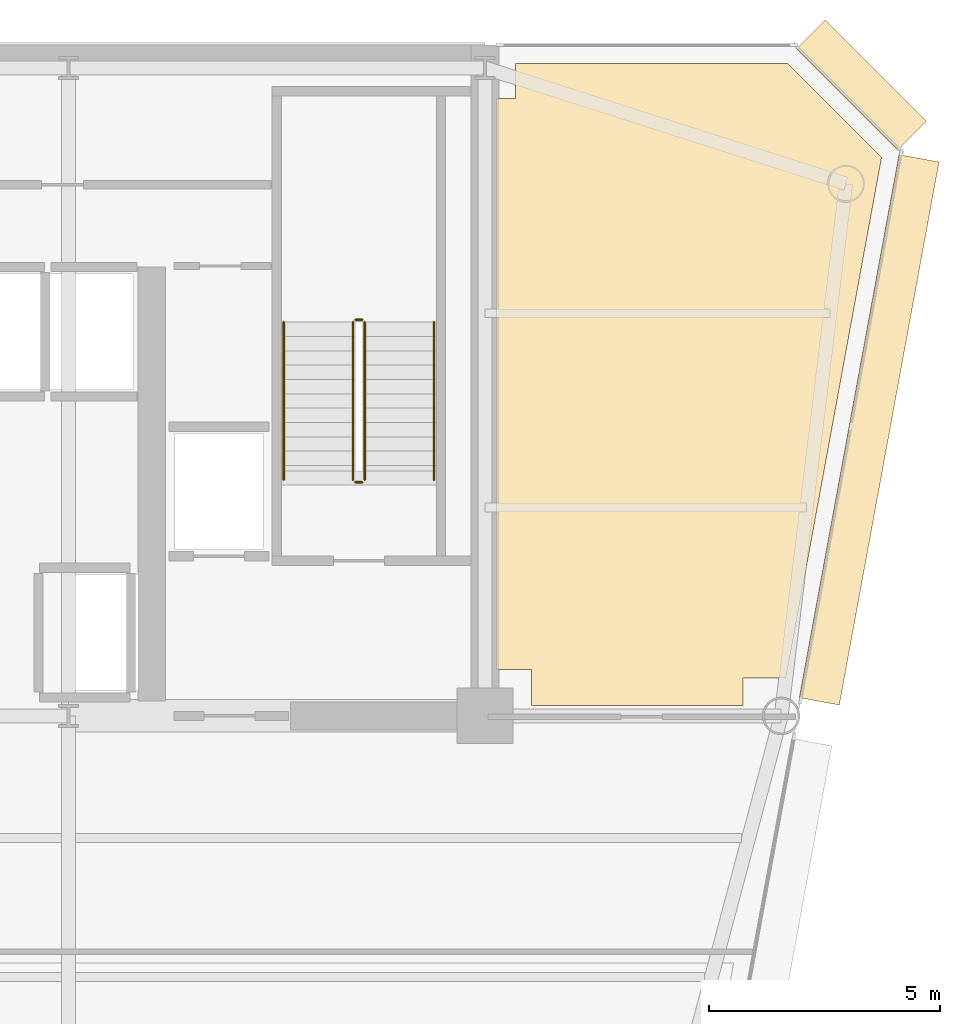
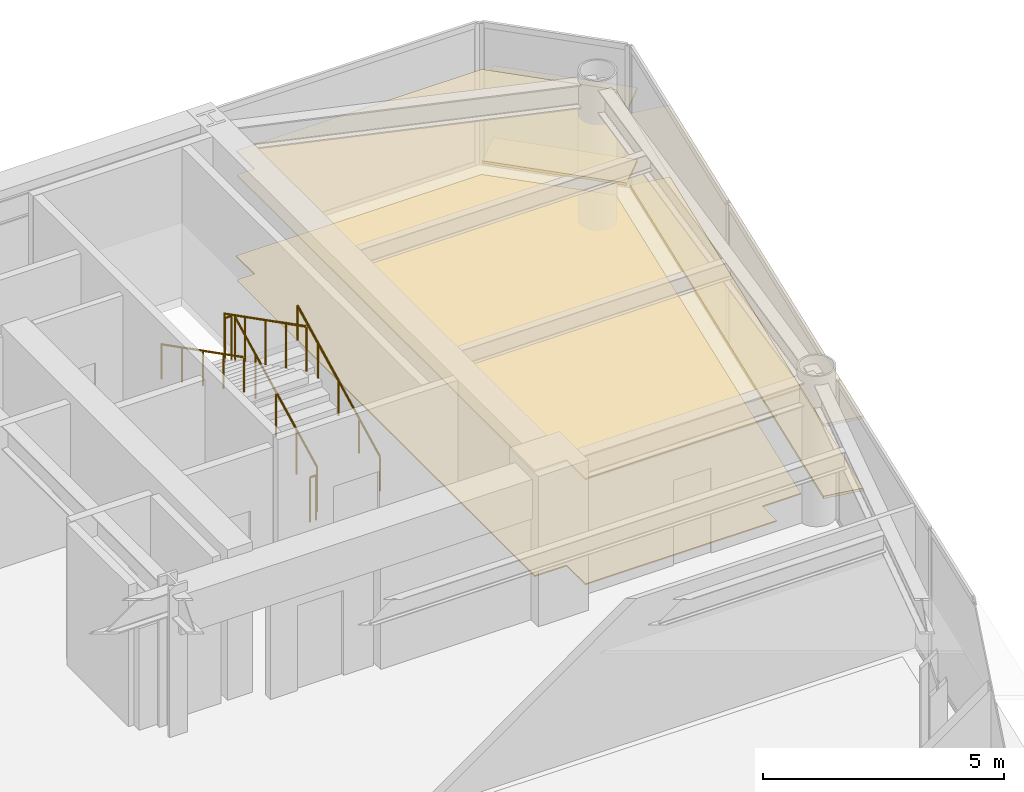
# One storey, part 17 of 17: 6 coverings, 6 railings.
"""IFC4 building model written with IfcOpenShell, lengths in metres."""

from ifc_helpers import new_model, si_unit, direction, frame, origin, origin_2d, place, context, subcontext, project, spatial, polyline, rectangle, circle, outline, extrude, source, transform, mapped, material, layer, layer_set, type_object, element, save


model = new_model("IFC4")

# Units and contexts
model_context = context("Model", 3, precision=1e-05, world=origin(), true_north=direction((0.0, 1.0)))
body_context = subcontext(model_context, "Body", "Model", "MODEL_VIEW")
ifc_project = project(units=[si_unit("LENGTHUNIT", "METRE"), si_unit("AREAUNIT", "SQUARE_METRE"), si_unit("VOLUMEUNIT", "CUBIC_METRE"), si_unit("PLANEANGLEUNIT", "RADIAN"), si_unit("MASSUNIT", "GRAM", prefix="KILO")], contexts=[model_context])

# Site, building, storey
site_placement = place(None, origin())
site = spatial("IfcSite", under=ifc_project, at=site_placement, CompositionType="ELEMENT")
building_placement = place(site_placement, origin())
building = spatial("IfcBuilding", under=site, at=building_placement, Name="Vaeldorn Concourse Tower", CompositionType="ELEMENT")
storey_placement = place(building_placement, frame((0.0, 0.0, 180.39990234375)))
storey = spatial("IfcBuildingStorey", under=building, at=storey_placement, Name="L46", CompositionType="ELEMENT", Elevation=180.39990234375)

# Coverings
ifc_material_1 = material(Name="Acoustic Mineral Fibre Board", Category="gypsum")
ifc_layer_1 = layer(ifc_material_1, 0.0400390625)
ifc_layer_set_1 = layer_set([ifc_layer_1], Name="Acoustic Mineral Fibre Board")
covering_type_1 = type_object("IfcCoveringType", Name="COV-CEIL-ACOUSTIC", PredefinedType="CEILING", material=ifc_layer_set_1)
covering_1_placement = place(storey_placement, frame((0.0, 0.0, 2.650146484375)))
element("IfcCovering", 1, at=covering_1_placement, inside=storey, type_object=covering_type_1, Name="Suspended Acoustic Ceiling L46-4", PredefinedType="CEILING", context=body_context, shape_type="SweptSolid", body=[
    extrude(outline(polyline([(54.659912109375, 49.840087890625), (54.659912109375, 50.60009765625), (60.5341796875, 50.60009765625), (62.568603515625, 48.565673828125), (60.50390625, 37.320068359375), (59.580078125, 37.320068359375), (59.580078125, 36.719970703125), (55.0, 36.719970703125), (55.0, 37.5), (54.239990234375, 37.5), (54.239990234375, 49.840087890625), (54.659912109375, 49.840087890625)])), origin(), (0.0, 0.0, 1.0), 0.0400390625),
])
ifc_material_2 = material(Name="Honed Limestone Terrazzo Flooring", Category="masonry")
ifc_layer_2 = layer(ifc_material_2, 0.0400390625)
ifc_layer_set_2 = layer_set([ifc_layer_2], Name="Honed Limestone Terrazzo Flooring")
covering_type_2 = type_object("IfcCoveringType", Name="COV-FLOOR-STONE", PredefinedType="FLOORING", material=ifc_layer_set_2)
covering_2_placement = place(storey_placement, origin())
element("IfcCovering", 2, at=covering_2_placement, inside=storey, type_object=covering_type_2, Name="Floor Finish Covering L46-4", PredefinedType="FLOORING", context=body_context, shape_type="SweptSolid", body=[
    extrude(outline(polyline([(54.659912109375, 49.840087890625), (54.659912109375, 50.60009765625), (60.5341796875, 50.60009765625), (62.568603515625, 48.565673828125), (60.50390625, 37.320068359375), (59.580078125, 37.320068359375), (59.580078125, 36.719970703125), (55.0, 36.719970703125), (55.0, 37.5), (54.239990234375, 37.5), (54.239990234375, 49.840087890625), (54.659912109375, 49.840087890625)])), origin(), (0.0, 0.0, 1.0), 0.030029296875),
])

# Railings
ifc_material_3 = material(Name="Anodised Bronze Aluminium", Category="aluminium")
railing_type_1 = type_object("IfcRailingType", Name="RL-STAIR-GUARD", PredefinedType="GUARDRAIL", material=ifc_material_3)
railing_1_placement = place(storey_placement, frame((51.39990234375, 41.60009765625, 0.158447265625)))
element("IfcRailing", 3, at=railing_1_placement, inside=storey, type_object=railing_type_1, Name="L46 ST-2 stair guard 1", PredefinedType="GUARDRAIL", context=body_context, shape_type="SweptSolid", body=[
    extrude(circle(Radius=0.02392578125, at=origin_2d()), frame((0.0, 0.0, 1.1259765625), z_axis=(0.0, 0.890555807335, 0.454873997962), x_axis=(-1.0, 0.0, 0.0)), (0.0, 0.0, 1.0), 3.828857421875),
    extrude(circle(Radius=0.02099609375, at=origin_2d()), origin(), (0.0, 0.0, 1.0), 1.101806640625),
    extrude(circle(Radius=0.02099609375, at=origin_2d()), frame((0.0, 0.8525390625, 0.435546875)), (0.0, 0.0, 1.0), 1.101806640625),
    extrude(circle(Radius=0.02099609375, at=origin_2d()), frame((0.0, 1.705078125, 0.870849609375)), (0.0, 0.0, 1.0), 1.101806640625),
    extrude(circle(Radius=0.02099609375, at=origin_2d()), frame((0.0, 2.557373046875, 1.30615234375)), (0.0, 0.0, 1.0), 1.101806640625),
    extrude(circle(Radius=0.02099609375, at=origin_2d()), frame((0.0, 3.409912109375, 1.74169921875)), (0.0, 0.0, 1.0), 1.101806640625),
])
railing_2_placement = place(storey_placement, frame((51.35009765625, 45.06005859375, 1.900146484375)))
element("IfcRailing", 4, at=railing_2_placement, inside=storey, type_object=railing_type_1, Name="L46 ST-2 stair guard 2", PredefinedType="GUARDRAIL", context=body_context, shape_type="SweptSolid", body=[
    extrude(circle(Radius=0.02392578125, at=origin_2d()), frame((0.0, 0.0, 1.1259765625), z_axis=(-1.0, 0.0, 0.0), x_axis=(0.0, -1.0, 0.0)), (0.0, 0.0, 1.0), 0.150146484375),
    extrude(circle(Radius=0.02099609375, at=origin_2d()), origin(), (0.0, 0.0, 1.0), 1.101806640625),
    extrude(circle(Radius=0.02099609375, at=origin_2d()), frame((-0.150146484375, 0.0, 0.0)), (0.0, 0.0, 1.0), 1.101806640625),
])
railing_3_placement = place(storey_placement, frame((51.14990234375, 45.010009765625, 2.058349609375)))
element("IfcRailing", 5, at=railing_3_placement, inside=storey, type_object=railing_type_1, Name="L46 ST-2 stair guard 3", PredefinedType="GUARDRAIL", context=body_context, shape_type="SweptSolid", body=[
    extrude(circle(Radius=0.02392578125, at=origin_2d()), frame((0.0, 0.0, 1.1259765625), z_axis=(0.0, -0.890555807335, 0.454873997962), x_axis=(1.0, 0.0, 0.0)), (0.0, 0.0, 1.0), 3.828857421875),
    extrude(circle(Radius=0.02099609375, at=origin_2d()), origin(), (0.0, 0.0, 1.0), 1.101806640625),
    extrude(circle(Radius=0.02099609375, at=origin_2d()), frame((0.0, -0.8525390625, 0.435546875)), (0.0, 0.0, 1.0), 1.101806640625),
    extrude(circle(Radius=0.02099609375, at=origin_2d()), frame((0.0, -1.705078125, 0.870849609375)), (0.0, 0.0, 1.0), 1.101806640625),
    extrude(circle(Radius=0.02099609375, at=origin_2d()), frame((0.0, -2.557373046875, 1.30615234375)), (0.0, 0.0, 1.0), 1.101806640625),
    extrude(circle(Radius=0.02099609375, at=origin_2d()), frame((0.0, -3.409912109375, 1.74169921875)), (0.0, 0.0, 1.0), 1.101806640625),
])
railing_4_placement = place(storey_placement, frame((51.35009765625, 41.550048828125, 0.0)))
element("IfcRailing", 6, at=railing_4_placement, inside=storey, type_object=railing_type_1, Name="L46 ST-2 stair guard 4", PredefinedType="GUARDRAIL", context=body_context, shape_type="SweptSolid", body=[
    extrude(circle(Radius=0.02392578125, at=origin_2d()), frame((0.0, 0.0, 1.1259765625), z_axis=(-1.0, 0.0, 0.0), x_axis=(0.0, -1.0, 0.0)), (0.0, 0.0, 1.0), 0.150146484375),
    extrude(circle(Radius=0.02099609375, at=origin_2d()), origin(), (0.0, 0.0, 1.0), 1.101806640625),
    extrude(circle(Radius=0.02099609375, at=origin_2d()), frame((-0.150146484375, 0.0, 0.0)), (0.0, 0.0, 1.0), 1.101806640625),
])
railing_type_2 = type_object("IfcRailingType", Name="RL-STAIR-HANDRAIL", PredefinedType="HANDRAIL", material=ifc_material_3)
railing_5_placement = place(storey_placement, frame((52.89990234375, 41.60009765625, 0.158447265625)))
element("IfcRailing", 7, at=railing_5_placement, inside=storey, type_object=railing_type_2, Name="L46 ST-2 stair handrail 1", PredefinedType="HANDRAIL", context=body_context, shape_type="SweptSolid", body=[
    extrude(circle(Radius=0.02392578125, at=origin_2d()), frame((0.0, 0.0, 0.8759765625), z_axis=(0.0, 0.890555807335, 0.454873997962), x_axis=(-1.0, 0.0, 0.0)), (0.0, 0.0, 1.0), 3.828857421875),
    extrude(circle(Radius=0.02099609375, at=origin_2d()), origin(), (0.0, 0.0, 1.0), 0.851806640625),
    extrude(circle(Radius=0.02099609375, at=origin_2d()), frame((0.0, 0.8525390625, 0.435546875)), (0.0, 0.0, 1.0), 0.851806640625),
    extrude(circle(Radius=0.02099609375, at=origin_2d()), frame((0.0, 1.705078125, 0.870849609375)), (0.0, 0.0, 1.0), 0.851806640625),
    extrude(circle(Radius=0.02099609375, at=origin_2d()), frame((0.0, 2.557373046875, 1.30615234375)), (0.0, 0.0, 1.0), 0.851806640625),
    extrude(circle(Radius=0.02099609375, at=origin_2d()), frame((0.0, 3.409912109375, 1.74169921875)), (0.0, 0.0, 1.0), 0.851806640625),
])
railing_6_placement = place(storey_placement, frame((49.64990234375, 45.010009765625, 2.058349609375)))
element("IfcRailing", 8, at=railing_6_placement, inside=storey, type_object=railing_type_2, Name="L46 ST-2 stair handrail 2", PredefinedType="HANDRAIL", context=body_context, shape_type="SweptSolid", body=[
    extrude(circle(Radius=0.02392578125, at=origin_2d()), frame((0.0, 0.0, 0.8759765625), z_axis=(0.0, -0.890555807335, 0.454873997962), x_axis=(1.0, 0.0, 0.0)), (0.0, 0.0, 1.0), 3.828857421875),
    extrude(circle(Radius=0.02099609375, at=origin_2d()), origin(), (0.0, 0.0, 1.0), 0.851806640625),
    extrude(circle(Radius=0.02099609375, at=origin_2d()), frame((0.0, -0.8525390625, 0.435546875)), (0.0, 0.0, 1.0), 0.851806640625),
    extrude(circle(Radius=0.02099609375, at=origin_2d()), frame((0.0, -1.705078125, 0.870849609375)), (0.0, 0.0, 1.0), 0.851806640625),
    extrude(circle(Radius=0.02099609375, at=origin_2d()), frame((0.0, -2.557373046875, 1.30615234375)), (0.0, 0.0, 1.0), 0.851806640625),
    extrude(circle(Radius=0.02099609375, at=origin_2d()), frame((0.0, -3.409912109375, 1.74169921875)), (0.0, 0.0, 1.0), 0.851806640625),
])

# Coverings
ifc_layer_3 = layer(ifc_material_3, 0.06494140625)
ifc_layer_set_3 = layer_set([ifc_layer_3], Name="Anodised Bronze Aluminium")
covering_type_3 = type_object("IfcCoveringType", Name="SD-BRONZE-SUNSHADE", PredefinedType="USERDEFINED", material=ifc_layer_set_3)
shared_shape_1 = source(origin(), body_context, "Body", "SweptSolid", [
    extrude(rectangle(XDim=3.0927734375, YDim=0.8798828125, at=origin_2d()), origin(), (0.0, 0.0, 1.0), 0.06494140625),
])
for number, where, z_axis, x_axis, name in (
    (9, (62.1328125, 50.1328125, 0.047607421875), (0.0, 0.0, 1.0), (-0.707106781187, 0.707106781187, 0.0), "Horizontal Bronze Sunshade L46-E08.1.1"),
    (10, (62.1328125, 50.1328125, 1.86767578125), (0.0, 0.0, 1.0), (-0.707106781187, 0.707106781187, 0.0), "Horizontal Bronze Sunshade L46-E08.1.2"),
):
    element("IfcCovering", number, at=place(storey_placement, frame(where, z_axis=z_axis, x_axis=x_axis)), inside=storey, type_object=covering_type_3, Name=name, ObjectType="SUNSHADE", PredefinedType="USERDEFINED", context=body_context, shape_type="MappedRepresentation", body=[
        mapped(shared_shape_1, transform((0.0, 0.0, 0.0), scale=1.0)),
    ])
shared_shape_2 = source(origin(), body_context, "Body", "SweptSolid", [
    extrude(rectangle(XDim=11.931396484375, YDim=0.8798828125, at=origin_2d()), origin(), (0.0, 0.0, 1.0), 0.06494140625),
])
for number, where, z_axis, x_axis, name in (
    (11, (62.3017578125, 42.681396484375, 0.047607421875), (0.0, 0.0, 1.0), (0.180587811053, 0.983558865803, 0.0), "Horizontal Bronze Sunshade L46-E07.2.1"),
    (12, (62.3017578125, 42.681396484375, 1.86767578125), (0.0, 0.0, 1.0), (0.180587811053, 0.983558865803, 0.0), "Horizontal Bronze Sunshade L46-E07.2.2"),
):
    element("IfcCovering", number, at=place(storey_placement, frame(where, z_axis=z_axis, x_axis=x_axis)), inside=storey, type_object=covering_type_3, Name=name, ObjectType="SUNSHADE", PredefinedType="USERDEFINED", context=body_context, shape_type="MappedRepresentation", body=[
        mapped(shared_shape_2, transform((0.0, 0.0, 0.0), scale=1.0)),
    ])

save(model, "model.ifc")
